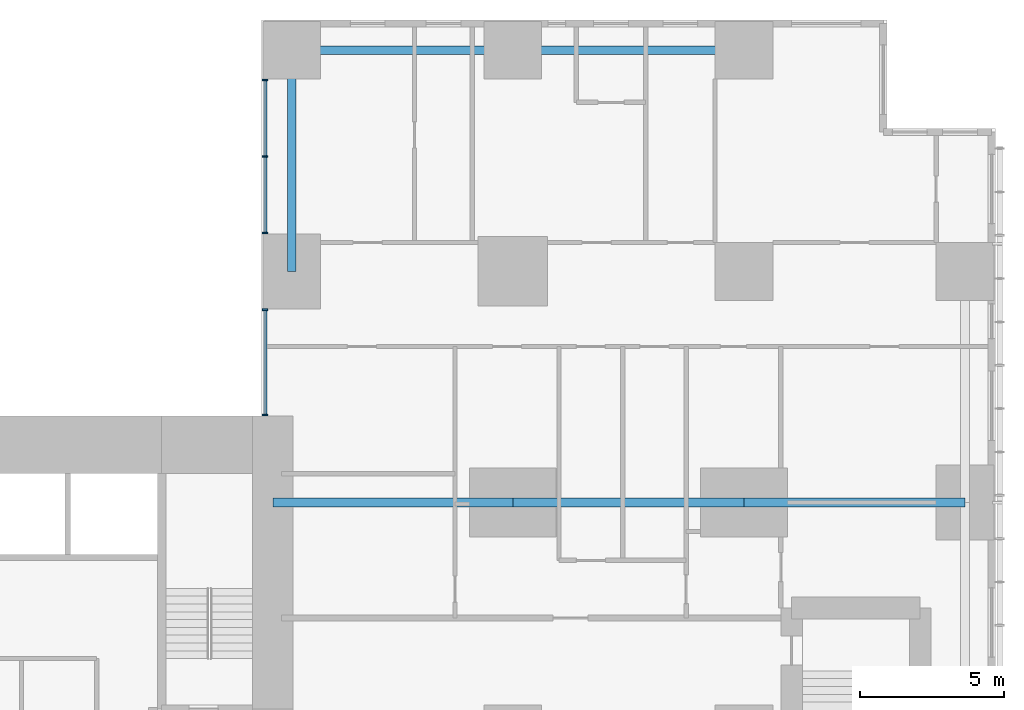
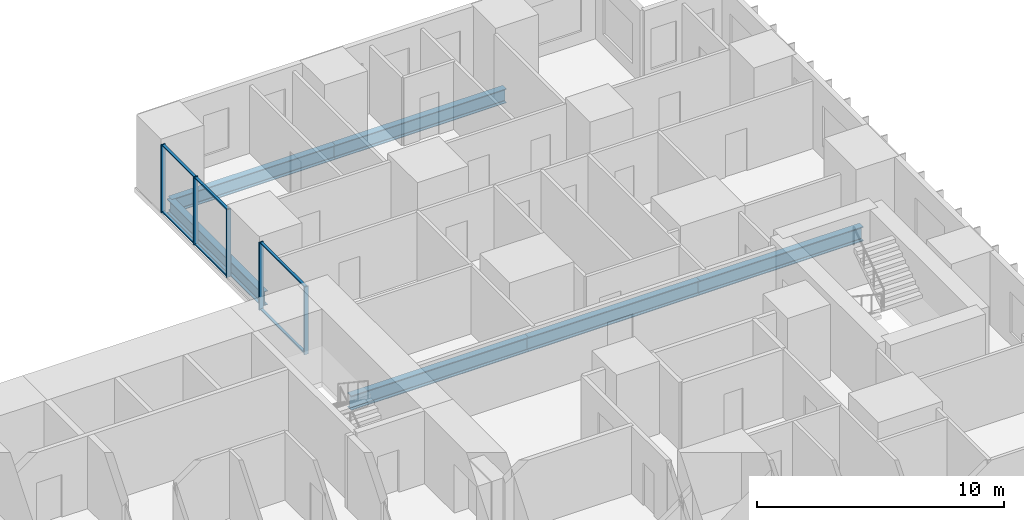
# One storey, part 5 of 20: 11 members, 6 beams, 2 elements without a shape of their own.
"""IFC4 building model written with IfcOpenShell, lengths in metres."""

from ifc_helpers import new_model, si_unit, direction, frame, origin, origin_2d, place, context, subcontext, project, spatial, rectangle, i_section, extrude, material, layer, layer_set, material_profile, profile_set, type_object, element, aggregate, save


model = new_model("IFC4")

# Units and contexts
model_context = context("Model", 3, precision=1e-05, world=origin(), true_north=direction((0.0, 1.0)))
body_context = subcontext(model_context, "Body", "Model", "MODEL_VIEW")
ifc_project = project(units=[si_unit("LENGTHUNIT", "METRE"), si_unit("AREAUNIT", "SQUARE_METRE"), si_unit("VOLUMEUNIT", "CUBIC_METRE"), si_unit("PLANEANGLEUNIT", "RADIAN"), si_unit("MASSUNIT", "GRAM", prefix="KILO")], contexts=[model_context])

# Site, building, storey
site_placement = place(None, origin())
site = spatial("IfcSite", under=ifc_project, at=site_placement, CompositionType="ELEMENT")
building_placement = place(site_placement, origin())
building = spatial("IfcBuilding", under=site, at=building_placement, Name="Cleftline Residences", CompositionType="ELEMENT")
storey_placement = place(building_placement, frame((0.0, 0.0, 83.60009765625)))
storey = spatial("IfcBuildingStorey", under=building, at=storey_placement, Name="L21", CompositionType="ELEMENT", Elevation=83.60009765625)

# Beams
ifc_material_1 = material(Name="Steel S355", Category="steel")
ifc_material_profile_1 = material_profile(ifc_material_1, i_section(OverallWidth=0.300048828125, OverallDepth=0.699951171875, WebThickness=0.01708984375, FlangeThickness=0.031982421875, FilletRadius=0.027099609375, at=origin_2d()))
ifc_profile_set_1 = profile_set([ifc_material_profile_1], Name="Steel S355")
beam_type_1 = type_object("IfcBeamType", Name="BEAM HEB 700", PredefinedType="BEAM", material=ifc_profile_set_1)
beam_1_placement = place(storey_placement, frame((58.0, 47.64990234375, -0.60009765625), z_axis=(-1.0, 0.0, 0.0), x_axis=(0.0, -1.0, 0.0)))
element("IfcBeam", 1, at=beam_1_placement, inside=storey, type_object=beam_type_1, Name="Edge beam", PredefinedType="BEAM", context=body_context, shape_type="SweptSolid", body=[
    extrude(i_section(OverallWidth=0.300048828125, OverallDepth=0.699951171875, WebThickness=0.01708984375, FlangeThickness=0.031982421875, FilletRadius=0.027099609375, at=origin_2d()), origin(), (0.0, 0.0, 1.0), 8.0),
])
for number, where, z_axis, x_axis, name in (
    (2, (50.0, 47.64990234375, -0.60009765625), (-1.0, 0.0, 0.0), (0.0, -1.0, 0.0), "Edge beam"),
    (3, (42.35009765625, 47.64990234375, -0.60009765625), (0.0, -1.0, 0.0), (1.0, 0.0, 0.0), "Edge beam"),
):
    element("IfcBeam", number, at=place(storey_placement, frame(where, z_axis=z_axis, x_axis=x_axis)), inside=storey, type_object=beam_type_1, Name=name, PredefinedType="BEAM", context=body_context, shape_type="SweptSolid", body=[
        extrude(i_section(OverallWidth=0.300048828125, OverallDepth=0.699951171875, WebThickness=0.01708984375, FlangeThickness=0.031982421875, FilletRadius=0.027099609375, at=origin_2d()), origin(), (0.0, 0.0, 1.0), 7.64990234375),
    ])
ifc_material_2 = material(Name="Steel S355", Category="steel")
ifc_material_profile_2 = material_profile(ifc_material_2, i_section(OverallWidth=0.303955078125, OverallDepth=0.716064453125, WebThickness=0.02099609375, FlangeThickness=0.0400390625, FilletRadius=0.027099609375, at=origin_2d()))
ifc_profile_set_2 = profile_set([ifc_material_profile_2], Name="Steel S355")
beam_type_2 = type_object("IfcBeamType", Name="BEAM HEM 700", PredefinedType="BEAM", material=ifc_profile_set_2)
beam_2_placement = place(storey_placement, frame((65.64990234375, 32.0, -0.608154296875), z_axis=(-1.0, 0.0, 0.0), x_axis=(0.0, -1.0, 0.0)))
element("IfcBeam", 4, at=beam_2_placement, inside=storey, type_object=beam_type_2, Name="Band beam", PredefinedType="BEAM", context=body_context, shape_type="SweptSolid", body=[
    extrude(i_section(OverallWidth=0.303955078125, OverallDepth=0.716064453125, WebThickness=0.02099609375, FlangeThickness=0.0400390625, FilletRadius=0.027099609375, at=origin_2d()), origin(), (0.0, 0.0, 1.0), 7.64990234375),
])
beam_3_placement = place(storey_placement, frame((58.0, 32.0, -0.608154296875), z_axis=(-1.0, 0.0, 0.0), x_axis=(0.0, -1.0, 0.0)))
element("IfcBeam", 5, at=beam_3_placement, inside=storey, type_object=beam_type_2, Name="Band beam", PredefinedType="BEAM", context=body_context, shape_type="SweptSolid", body=[
    extrude(i_section(OverallWidth=0.303955078125, OverallDepth=0.716064453125, WebThickness=0.02099609375, FlangeThickness=0.0400390625, FilletRadius=0.027099609375, at=origin_2d()), origin(), (0.0, 0.0, 1.0), 8.0),
])
beam_4_placement = place(storey_placement, frame((50.0, 32.0, -0.608154296875), z_axis=(-1.0, 0.0, 0.0), x_axis=(0.0, -1.0, 0.0)))
element("IfcBeam", 6, at=beam_4_placement, inside=storey, type_object=beam_type_2, Name="Band beam", PredefinedType="BEAM", context=body_context, shape_type="SweptSolid", body=[
    extrude(i_section(OverallWidth=0.303955078125, OverallDepth=0.716064453125, WebThickness=0.02099609375, FlangeThickness=0.0400390625, FilletRadius=0.027099609375, at=origin_2d()), origin(), (0.0, 0.0, 1.0), 8.300048828125),
])

# Curtain wall, members
ifc_material_3 = material(Name="Aluminium framed curtain wall", Category="aluminium")
ifc_layer = layer(ifc_material_3, 0.199951171875)
ifc_layer_set = layer_set([ifc_layer], Name="CW1 CLEFT GLAZING")
curtain_wall_type = type_object("IfcCurtainWallType", Name="CW1 CLEFT GLAZING", PredefinedType="NOTDEFINED", material=ifc_layer_set)
curtain_wall_1_placement = place(storey_placement, origin())
curtain_wall_1 = element("IfcCurtainWall", 7, at=curtain_wall_1_placement, inside=storey, type_object=curtain_wall_type, Name="Curtain wall CW1", PredefinedType="NOTDEFINED")
ifc_material_4 = material(Name="Aluminium mullion", Category="aluminium")
ifc_material_profile_3 = material_profile(ifc_material_4, rectangle(XDim=0.199951171875, YDim=0.06005859375, at=origin_2d()))
ifc_profile_set_3 = profile_set([ifc_material_profile_3], Name="Aluminium mullion")
member_type_1 = type_object("IfcMemberType", Name="CW1 MULLION", PredefinedType="MULLION", material=ifc_profile_set_3)
member_1_placement = place(storey_placement, frame((41.425048828125, 46.6201171875, 0.0), z_axis=(0.0, 0.0, 1.0), x_axis=(1.0, 0.0, 0.0)))
member_1 = element("IfcMember", 8, at=member_1_placement, type_object=member_type_1, Name="CW1 mullion 1", PredefinedType="MULLION", context=body_context, shape_type="SweptSolid", body=[
    extrude(rectangle(XDim=0.199951171875, YDim=0.06005859375, at=origin_2d()), origin(), (0.0, 0.0, 1.0), 3.349853515625),
])
member_2_placement = place(storey_placement, frame((41.425048828125, 43.97509765625, 0.0), z_axis=(0.0, 0.0, 1.0), x_axis=(1.0, 0.0, 0.0)))
member_2 = element("IfcMember", 9, at=member_2_placement, type_object=member_type_1, Name="CW1 mullion 2", PredefinedType="MULLION", context=body_context, shape_type="SweptSolid", body=[
    extrude(rectangle(XDim=0.199951171875, YDim=0.06005859375, at=origin_2d()), origin(), (0.0, 0.0, 1.0), 3.349853515625),
])
member_3_placement = place(storey_placement, frame((41.425048828125, 41.330078125, 0.0), z_axis=(0.0, 0.0, 1.0), x_axis=(1.0, 0.0, 0.0)))
member_3 = element("IfcMember", 10, at=member_3_placement, type_object=member_type_1, Name="CW1 mullion 3", PredefinedType="MULLION", context=body_context, shape_type="SweptSolid", body=[
    extrude(rectangle(XDim=0.199951171875, YDim=0.06005859375, at=origin_2d()), origin(), (0.0, 0.0, 1.0), 3.349853515625),
])

curtain_wall_2_placement = place(storey_placement, origin())
curtain_wall_2 = element("IfcCurtainWall", 11, at=curtain_wall_2_placement, inside=storey, type_object=curtain_wall_type, Name="Curtain wall CW1", PredefinedType="NOTDEFINED")
member_4_placement = place(storey_placement, frame((41.425048828125, 38.669921875, 0.0), z_axis=(0.0, 0.0, 1.0), x_axis=(1.0, 0.0, 0.0)))
member_4 = element("IfcMember", 12, at=member_4_placement, type_object=member_type_1, Name="CW1 mullion 1", PredefinedType="MULLION", context=body_context, shape_type="SweptSolid", body=[
    extrude(rectangle(XDim=0.199951171875, YDim=0.06005859375, at=origin_2d()), origin(), (0.0, 0.0, 1.0), 3.349853515625),
])
member_5_placement = place(storey_placement, frame((41.425048828125, 35.030029296875, 0.0), z_axis=(0.0, 0.0, 1.0), x_axis=(1.0, 0.0, 0.0)))
member_5 = element("IfcMember", 13, at=member_5_placement, type_object=member_type_1, Name="CW1 mullion 2", PredefinedType="MULLION", context=body_context, shape_type="SweptSolid", body=[
    extrude(rectangle(XDim=0.199951171875, YDim=0.06005859375, at=origin_2d()), origin(), (0.0, 0.0, 1.0), 3.349853515625),
])

# Member
ifc_material_5 = material(Name="Aluminium transom", Category="aluminium")
ifc_material_profile_4 = material_profile(ifc_material_5, rectangle(XDim=0.1201171875, YDim=0.06005859375, at=origin_2d()))
ifc_profile_set_4 = profile_set([ifc_material_profile_4], Name="Aluminium transom")
member_type_2 = type_object("IfcMemberType", Name="CW1 TRANSOM", PredefinedType="USERDEFINED", material=ifc_profile_set_4)
member_6_placement = place(storey_placement, frame((41.425048828125, 46.590087890625, 0.02978515625), z_axis=(0.0, -1.0, 0.0), x_axis=(1.0, 0.0, 0.0)))
member_6 = element("IfcMember", 14, at=member_6_placement, type_object=member_type_2, Name="CW1 transom 1.1", ObjectType="TRANSOM", PredefinedType="USERDEFINED", context=body_context, shape_type="SweptSolid", body=[
    extrude(rectangle(XDim=0.1201171875, YDim=0.06005859375, at=origin_2d()), origin(), (0.0, 0.0, 1.0), 2.585205078125),
])

member_7_placement = place(storey_placement, frame((41.425048828125, 46.590087890625, 3.31982421875), z_axis=(0.0, -1.0, 0.0), x_axis=(1.0, 0.0, 0.0)))
member_7 = element("IfcMember", 15, at=member_7_placement, type_object=member_type_2, Name="CW1 transom 1.2", ObjectType="TRANSOM", PredefinedType="USERDEFINED", context=body_context, shape_type="SweptSolid", body=[
    extrude(rectangle(XDim=0.1201171875, YDim=0.06005859375, at=origin_2d()), origin(), (0.0, 0.0, 1.0), 2.585205078125),
])

member_8_placement = place(storey_placement, frame((41.425048828125, 43.945068359375, 0.02978515625), z_axis=(0.0, -1.0, 0.0), x_axis=(1.0, 0.0, 0.0)))
member_8 = element("IfcMember", 16, at=member_8_placement, type_object=member_type_2, Name="CW1 transom 2.1", ObjectType="TRANSOM", PredefinedType="USERDEFINED", context=body_context, shape_type="SweptSolid", body=[
    extrude(rectangle(XDim=0.1201171875, YDim=0.06005859375, at=origin_2d()), origin(), (0.0, 0.0, 1.0), 2.5849609375),
])

member_9_placement = place(storey_placement, frame((41.425048828125, 43.945068359375, 3.31982421875), z_axis=(0.0, -1.0, 0.0), x_axis=(1.0, 0.0, 0.0)))
member_9 = element("IfcMember", 17, at=member_9_placement, type_object=member_type_2, Name="CW1 transom 2.2", ObjectType="TRANSOM", PredefinedType="USERDEFINED", context=body_context, shape_type="SweptSolid", body=[
    extrude(rectangle(XDim=0.1201171875, YDim=0.06005859375, at=origin_2d()), origin(), (0.0, 0.0, 1.0), 2.5849609375),
])

aggregate(curtain_wall_1, [member_1, member_2, member_3, member_6, member_7, member_8, member_9])

member_10_placement = place(storey_placement, frame((41.425048828125, 38.639892578125, 0.02978515625), z_axis=(0.0, -1.0, 0.0), x_axis=(1.0, 0.0, 0.0)))
member_10 = element("IfcMember", 18, at=member_10_placement, type_object=member_type_2, Name="CW1 transom 1.1", ObjectType="TRANSOM", PredefinedType="USERDEFINED", context=body_context, shape_type="SweptSolid", body=[
    extrude(rectangle(XDim=0.1201171875, YDim=0.06005859375, at=origin_2d()), origin(), (0.0, 0.0, 1.0), 3.579833984375),
])

member_11_placement = place(storey_placement, frame((41.425048828125, 38.639892578125, 3.31982421875), z_axis=(0.0, -1.0, 0.0), x_axis=(1.0, 0.0, 0.0)))
member_11 = element("IfcMember", 19, at=member_11_placement, type_object=member_type_2, Name="CW1 transom 1.2", ObjectType="TRANSOM", PredefinedType="USERDEFINED", context=body_context, shape_type="SweptSolid", body=[
    extrude(rectangle(XDim=0.1201171875, YDim=0.06005859375, at=origin_2d()), origin(), (0.0, 0.0, 1.0), 3.579833984375),
])

aggregate(curtain_wall_2, [member_4, member_5, member_10, member_11])

save(model, "model.ifc")
